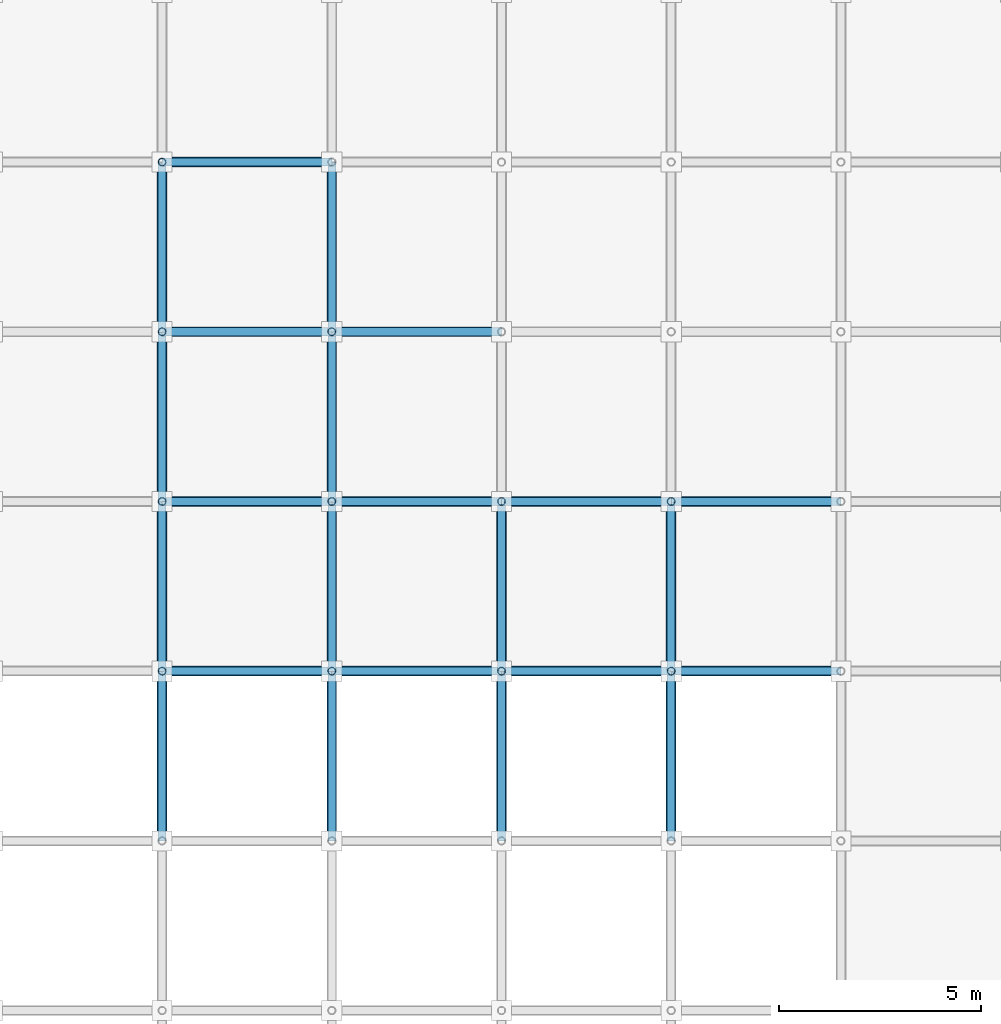
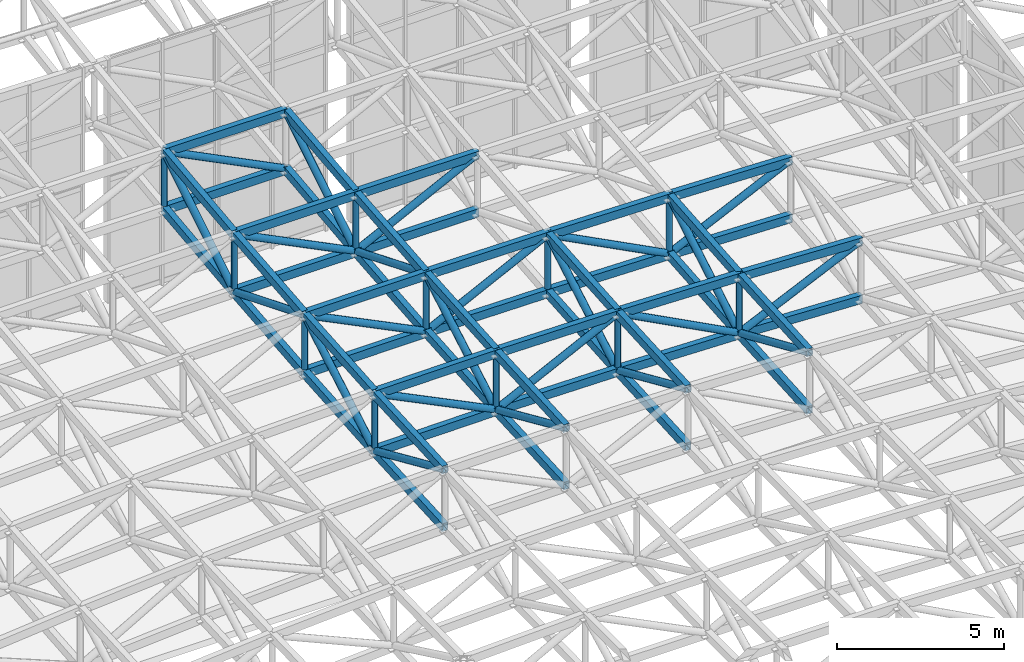
# One storey, part 49 of 123: 80 members.
"""IFC4 building model written with IfcOpenShell, lengths in metres."""

from ifc_helpers import new_model, si_unit, direction, frame, origin, origin_2d, place, context, subcontext, project, spatial, hollow_rectangle, hollow_circle, extrude, material, material_profile, profile_set, type_object, element, save


model = new_model("IFC4")

# Units and contexts
model_context = context("Model", 3, precision=1e-05, world=origin(), true_north=direction((0.0, 1.0)))
body_context = subcontext(model_context, "Body", "Model", "MODEL_VIEW")
ifc_project = project(units=[si_unit("LENGTHUNIT", "METRE"), si_unit("AREAUNIT", "SQUARE_METRE"), si_unit("VOLUMEUNIT", "CUBIC_METRE"), si_unit("PLANEANGLEUNIT", "RADIAN"), si_unit("MASSUNIT", "GRAM", prefix="KILO")], contexts=[model_context])

# Site, building, storey
site_placement = place(None, origin())
site = spatial("IfcSite", under=ifc_project, at=site_placement, CompositionType="ELEMENT")
building_placement = place(site_placement, origin())
building = spatial("IfcBuilding", under=site, at=building_placement, Name="Cumbredor Promenade Congress Hotel", CompositionType="ELEMENT")
storey_placement = place(building_placement, frame((0.0, 0.0, 11.760009765625)))
storey = spatial("IfcBuildingStorey", under=building, at=storey_placement, Name="L03", CompositionType="ELEMENT", Elevation=11.760009765625)

# Members
ifc_material = material(Name="Steel ASTM A500 Grade C", Category="steel")
ifc_material_profile_1 = material_profile(ifc_material, hollow_rectangle(XDim=0.199951171875, YDim=0.300048828125, WallThickness=0.012451171875, at=origin_2d()), Name="HSS 300x200x12.5")
ifc_profile_set_1 = profile_set([ifc_material_profile_1], Name="Steel ASTM A500 Grade C")
member_type_1 = type_object("IfcMemberType", Name="Ballroom Roof Space Frame Chord", PredefinedType="CHORD", material=ifc_profile_set_1)
for number, where, z_axis, x_axis, name in (
    (1, (159.60009765625, 50.39990234375, 6.969970703125), (0.999962994954, 0.0, 0.008602832253), (0.0, 1.0, 0.0), "Grand Ballroom Pavilion X Top Chord 6.13"),
    (2, (159.60009765625, 50.39990234375, 4.869873046875), (0.999962994954, 0.0, 0.008602832253), (0.0, 1.0, 0.0), "Grand Ballroom Pavilion X Bottom Chord 6.13"),
    (3, (163.800048828125, 50.39990234375, 7.006103515625), (0.999962994954, 0.0, -0.008602832253), (0.0, 1.0, 0.0), "Grand Ballroom Pavilion X Top Chord 7.13"),
    (4, (163.800048828125, 50.39990234375, 4.906005859375), (0.999962994954, 0.0, -0.008602832253), (0.0, 1.0, 0.0), "Grand Ballroom Pavilion X Bottom Chord 7.13"),
):
    element("IfcMember", number, at=place(storey_placement, frame(where, z_axis=z_axis, x_axis=x_axis)), inside=storey, type_object=member_type_1, Name=name, PredefinedType="CHORD", context=body_context, shape_type="SweptSolid", body=[
        extrude(hollow_rectangle(XDim=0.199951171875, YDim=0.300048828125, WallThickness=0.012451171875, at=origin_2d()), origin(), (0.0, 0.0, 1.0), 4.2001953125),
    ])
for number, where, z_axis, x_axis, name in (
    (5, (168.0, 50.39990234375, 6.969970703125), (0.999670093245, 0.0, -0.02568471669), (0.0, 1.0, 0.0), "Grand Ballroom Pavilion X Top Chord 8.13"),
    (6, (168.0, 50.39990234375, 4.869873046875), (0.999670093245, 0.0, -0.02568471669), (0.0, 1.0, 0.0), "Grand Ballroom Pavilion X Bottom Chord 8.13"),
):
    element("IfcMember", number, at=place(storey_placement, frame(where, z_axis=z_axis, x_axis=x_axis)), inside=storey, type_object=member_type_1, Name=name, PredefinedType="CHORD", context=body_context, shape_type="SweptSolid", body=[
        extrude(hollow_rectangle(XDim=0.199951171875, YDim=0.300048828125, WallThickness=0.012451171875, at=origin_2d()), origin(), (0.0, 0.0, 1.0), 4.201416015625),
    ])
for number, where, z_axis, x_axis, name in (
    (7, (172.199951171875, 50.39990234375, 6.862060546875), (0.999083570035, 0.0, -0.042802103768), (0.0, 1.0, 0.0), "Grand Ballroom Pavilion X Top Chord 9.13"),
    (8, (172.199951171875, 50.39990234375, 4.761962890625), (0.999086051861, 0.0, -0.042744133824), (0.0, 1.0, 0.0), "Grand Ballroom Pavilion X Bottom Chord 9.13"),
):
    element("IfcMember", number, at=place(storey_placement, frame(where, z_axis=z_axis, x_axis=x_axis)), inside=storey, type_object=member_type_1, Name=name, PredefinedType="CHORD", context=body_context, shape_type="SweptSolid", body=[
        extrude(hollow_rectangle(XDim=0.199951171875, YDim=0.300048828125, WallThickness=0.012451171875, at=origin_2d()), origin(), (0.0, 0.0, 1.0), 4.203857421875),
    ])
for number, where, z_axis, x_axis, name in (
    (9, (159.60009765625, 54.60009765625, 7.29052734375), (0.999982076435, 0.0, 0.005987220477), (0.0, 1.0, 0.0), "Grand Ballroom Pavilion X Top Chord 6.14"),
    (10, (159.60009765625, 54.60009765625, 5.190673828125), (0.999982422767, 0.0, 0.005929094177), (0.0, 1.0, 0.0), "Grand Ballroom Pavilion X Bottom Chord 6.14"),
    (11, (163.800048828125, 54.60009765625, 7.315673828125), (0.999982076435, 0.0, -0.005987220477), (0.0, 1.0, 0.0), "Grand Ballroom Pavilion X Top Chord 7.14"),
    (12, (163.800048828125, 54.60009765625, 5.215576171875), (0.999982422767, 0.0, -0.005929094177), (0.0, 1.0, 0.0), "Grand Ballroom Pavilion X Bottom Chord 7.14"),
):
    element("IfcMember", number, at=place(storey_placement, frame(where, z_axis=z_axis, x_axis=x_axis)), inside=storey, type_object=member_type_1, Name=name, PredefinedType="CHORD", context=body_context, shape_type="SweptSolid", body=[
        extrude(hollow_rectangle(XDim=0.199951171875, YDim=0.300048828125, WallThickness=0.012451171875, at=origin_2d()), origin(), (0.0, 0.0, 1.0), 4.199951171875),
    ])
for number, where, z_axis, x_axis, name in (
    (13, (168.0, 54.60009765625, 7.29052734375), (0.999841838259, 0.0, -0.01778478187), (0.0, 1.0, 0.0), "Grand Ballroom Pavilion X Top Chord 8.14"),
    (14, (168.0, 54.60009765625, 5.190673828125), (0.999840803081, 0.0, -0.017842883599), (0.0, 1.0, 0.0), "Grand Ballroom Pavilion X Bottom Chord 8.14"),
):
    element("IfcMember", number, at=place(storey_placement, frame(where, z_axis=z_axis, x_axis=x_axis)), inside=storey, type_object=member_type_1, Name=name, PredefinedType="CHORD", context=body_context, shape_type="SweptSolid", body=[
        extrude(hollow_rectangle(XDim=0.199951171875, YDim=0.300048828125, WallThickness=0.012451171875, at=origin_2d()), origin(), (0.0, 0.0, 1.0), 4.20068359375),
    ])
for number, where, z_axis, x_axis, name in (
    (15, (172.199951171875, 54.60009765625, 7.2158203125), (0.999560847032, 0.0, -0.029632972853), (0.0, 1.0, 0.0), "Grand Ballroom Pavilion X Top Chord 9.14"),
    (16, (172.199951171875, 54.60009765625, 5.11572265625), (0.999560847032, 0.0, -0.029632972853), (0.0, 1.0, 0.0), "Grand Ballroom Pavilion X Bottom Chord 9.14"),
):
    element("IfcMember", number, at=place(storey_placement, frame(where, z_axis=z_axis, x_axis=x_axis)), inside=storey, type_object=member_type_1, Name=name, PredefinedType="CHORD", context=body_context, shape_type="SweptSolid", body=[
        extrude(hollow_rectangle(XDim=0.199951171875, YDim=0.300048828125, WallThickness=0.012451171875, at=origin_2d()), origin(), (0.0, 0.0, 1.0), 4.201904296875),
    ])
for number, where, z_axis, x_axis, name in (
    (17, (159.60009765625, 58.800048828125, 7.69140625), (0.999996425009, 0.0, 0.002673942658), (0.0, 1.0, 0.0), "Grand Ballroom Pavilion X Top Chord 6.15"),
    (18, (159.60009765625, 58.800048828125, 5.59130859375), (0.999996267886, 0.0, 0.002732071417), (0.0, 1.0, 0.0), "Grand Ballroom Pavilion X Bottom Chord 6.15"),
    (19, (163.800048828125, 58.800048828125, 7.70263671875), (0.999996425009, 0.0, -0.002673942658), (0.0, 1.0, 0.0), "Grand Ballroom Pavilion X Top Chord 7.15"),
    (20, (163.800048828125, 58.800048828125, 5.602783203125), (0.999996267886, 0.0, -0.002732071417), (0.0, 1.0, 0.0), "Grand Ballroom Pavilion X Bottom Chord 7.15"),
    (21, (159.60009765625, 63.0, 8.17236328125), (0.999999254925, 0.0, -0.001220716407), (0.0, 1.0, 0.0), "Grand Ballroom Pavilion X Top Chord 6.16"),
    (22, (159.60009765625, 63.0, 6.072509765625), (0.999999182277, 0.0, -0.001278845667), (0.0, 1.0, 0.0), "Grand Ballroom Pavilion X Bottom Chord 6.16"),
):
    element("IfcMember", number, at=place(storey_placement, frame(where, z_axis=z_axis, x_axis=x_axis)), inside=storey, type_object=member_type_1, Name=name, PredefinedType="CHORD", context=body_context, shape_type="SweptSolid", body=[
        extrude(hollow_rectangle(XDim=0.199951171875, YDim=0.300048828125, WallThickness=0.012451171875, at=origin_2d()), origin(), (0.0, 0.0, 1.0), 4.199951171875),
    ])
for number, where, z_axis, x_axis, name in (
    (23, (159.60009765625, 46.199951171875, 6.7294921875), (0.0, 0.998364811443, 0.05716382836), (-1.0, 0.0, 0.0), "Grand Ballroom Pavilion Y Top Chord 6.12"),
    (24, (159.60009765625, 46.199951171875, 4.62939453125), (0.0, 0.998364811443, 0.05716382836), (-1.0, 0.0, 0.0), "Grand Ballroom Pavilion Y Bottom Chord 6.12"),
):
    element("IfcMember", number, at=place(storey_placement, frame(where, z_axis=z_axis, x_axis=x_axis)), inside=storey, type_object=member_type_1, Name=name, PredefinedType="CHORD", context=body_context, shape_type="SweptSolid", body=[
        extrude(hollow_rectangle(XDim=0.199951171875, YDim=0.300048828125, WallThickness=0.012451171875, at=origin_2d()), origin(), (0.0, 0.0, 1.0), 4.206787109375),
    ])
for number, where, z_axis, x_axis, name in (
    (25, (159.60009765625, 50.39990234375, 6.969970703125), (0.0, 0.997100331026, 0.076098159419), (-1.0, 0.0, 0.0), "Grand Ballroom Pavilion Y Top Chord 6.13"),
    (26, (159.60009765625, 50.39990234375, 4.869873046875), (0.0, 0.997095931713, 0.076155780881), (-1.0, 0.0, 0.0), "Grand Ballroom Pavilion Y Bottom Chord 6.13"),
):
    element("IfcMember", number, at=place(storey_placement, frame(where, z_axis=z_axis, x_axis=x_axis)), inside=storey, type_object=member_type_1, Name=name, PredefinedType="CHORD", context=body_context, shape_type="SweptSolid", body=[
        extrude(hollow_rectangle(XDim=0.199951171875, YDim=0.300048828125, WallThickness=0.012451171875, at=origin_2d()), origin(), (0.0, 0.0, 1.0), 4.21240234375),
    ])
for number, where, z_axis, x_axis, name in (
    (27, (159.60009765625, 54.60009765625, 7.29052734375), (0.0, 0.995475685358, 0.095016629388), (-1.0, 0.0, 0.0), "Grand Ballroom Pavilion Y Top Chord 6.14"),
    (28, (159.60009765625, 54.60009765625, 5.190673828125), (0.0, 0.995481157131, 0.094959284942), (-1.0, 0.0, 0.0), "Grand Ballroom Pavilion Y Bottom Chord 6.14"),
):
    element("IfcMember", number, at=place(storey_placement, frame(where, z_axis=z_axis, x_axis=x_axis)), inside=storey, type_object=member_type_1, Name=name, PredefinedType="CHORD", context=body_context, shape_type="SweptSolid", body=[
        extrude(hollow_rectangle(XDim=0.199951171875, YDim=0.300048828125, WallThickness=0.012451171875, at=origin_2d()), origin(), (0.0, 0.0, 1.0), 4.218994140625),
    ])
member_1_placement = place(storey_placement, frame((159.60009765625, 58.800048828125, 7.69140625), z_axis=(0.0, 0.99350695901, 0.113771360184), x_axis=(-1.0, 0.0, 0.0)))
element("IfcMember", 29, at=member_1_placement, inside=storey, type_object=member_type_1, Name="Grand Ballroom Pavilion Y Top Chord 6.15", PredefinedType="CHORD", context=body_context, shape_type="SweptSolid", body=[
    extrude(hollow_rectangle(XDim=0.199951171875, YDim=0.300048828125, WallThickness=0.012451171875, at=origin_2d()), origin(), (0.0, 0.0, 1.0), 4.227294921875),
])
member_2_placement = place(storey_placement, frame((159.60009765625, 58.800048828125, 5.59130859375), z_axis=(0.0, 0.993500429561, 0.113828364045), x_axis=(-1.0, 0.0, 0.0)))
element("IfcMember", 30, at=member_2_placement, inside=storey, type_object=member_type_1, Name="Grand Ballroom Pavilion Y Bottom Chord 6.15", PredefinedType="CHORD", context=body_context, shape_type="SweptSolid", body=[
    extrude(hollow_rectangle(XDim=0.199951171875, YDim=0.300048828125, WallThickness=0.012451171875, at=origin_2d()), origin(), (0.0, 0.0, 1.0), 4.2275390625),
])
for number, where, z_axis, x_axis, name in (
    (31, (163.800048828125, 46.199951171875, 6.773681640625), (0.0, 0.998472295268, 0.055254643091), (-1.0, 0.0, 0.0), "Grand Ballroom Pavilion Y Top Chord 7.12"),
    (32, (163.800048828125, 46.199951171875, 4.673828125), (0.0, 0.998475495714, 0.055196779424), (-1.0, 0.0, 0.0), "Grand Ballroom Pavilion Y Bottom Chord 7.12"),
):
    element("IfcMember", number, at=place(storey_placement, frame(where, z_axis=z_axis, x_axis=x_axis)), inside=storey, type_object=member_type_1, Name=name, PredefinedType="CHORD", context=body_context, shape_type="SweptSolid", body=[
        extrude(hollow_rectangle(XDim=0.199951171875, YDim=0.300048828125, WallThickness=0.012451171875, at=origin_2d()), origin(), (0.0, 0.0, 1.0), 4.206298828125),
    ])
for number, where, z_axis, x_axis, name in (
    (33, (163.800048828125, 50.39990234375, 7.006103515625), (0.0, 0.997294891823, 0.073504413092), (-1.0, 0.0, 0.0), "Grand Ballroom Pavilion Y Top Chord 7.13"),
    (34, (163.800048828125, 50.39990234375, 4.906005859375), (0.0, 0.997294891823, 0.073504413092), (-1.0, 0.0, 0.0), "Grand Ballroom Pavilion Y Bottom Chord 7.13"),
):
    element("IfcMember", number, at=place(storey_placement, frame(where, z_axis=z_axis, x_axis=x_axis)), inside=storey, type_object=member_type_1, Name=name, PredefinedType="CHORD", context=body_context, shape_type="SweptSolid", body=[
        extrude(hollow_rectangle(XDim=0.199951171875, YDim=0.300048828125, WallThickness=0.012451171875, at=origin_2d()), origin(), (0.0, 0.0, 1.0), 4.211669921875),
    ])
for number, where, z_axis, x_axis, name in (
    (35, (163.800048828125, 54.60009765625, 7.315673828125), (0.0, 0.995782395469, 0.091746503332), (-1.0, 0.0, 0.0), "Grand Ballroom Pavilion Y Top Chord 7.14"),
    (36, (163.800048828125, 54.60009765625, 5.215576171875), (0.0, 0.995777105566, 0.091803899868), (-1.0, 0.0, 0.0), "Grand Ballroom Pavilion Y Bottom Chord 7.14"),
):
    element("IfcMember", number, at=place(storey_placement, frame(where, z_axis=z_axis, x_axis=x_axis)), inside=storey, type_object=member_type_1, Name=name, PredefinedType="CHORD", context=body_context, shape_type="SweptSolid", body=[
        extrude(hollow_rectangle(XDim=0.199951171875, YDim=0.300048828125, WallThickness=0.012451171875, at=origin_2d()), origin(), (0.0, 0.0, 1.0), 4.2177734375),
    ])
for number, where, z_axis, x_axis, name in (
    (37, (163.800048828125, 58.800048828125, 7.70263671875), (0.0, 0.993937167208, 0.109949568633), (-1.0, 0.0, 0.0), "Grand Ballroom Pavilion Y Top Chord 7.15"),
    (38, (163.800048828125, 58.800048828125, 5.602783203125), (0.0, 0.993943479647, 0.109892489583), (-1.0, 0.0, 0.0), "Grand Ballroom Pavilion Y Bottom Chord 7.15"),
):
    element("IfcMember", number, at=place(storey_placement, frame(where, z_axis=z_axis, x_axis=x_axis)), inside=storey, type_object=member_type_1, Name=name, PredefinedType="CHORD", context=body_context, shape_type="SweptSolid", body=[
        extrude(hollow_rectangle(XDim=0.199951171875, YDim=0.300048828125, WallThickness=0.012451171875, at=origin_2d()), origin(), (0.0, 0.0, 1.0), 4.2255859375),
    ])
for number, where, z_axis, x_axis, name in (
    (39, (168.0, 46.199951171875, 6.7294921875), (0.0, 0.998364811443, 0.05716382836), (-1.0, 0.0, 0.0), "Grand Ballroom Pavilion Y Top Chord 8.12"),
    (40, (168.0, 46.199951171875, 4.62939453125), (0.0, 0.998364811443, 0.05716382836), (-1.0, 0.0, 0.0), "Grand Ballroom Pavilion Y Bottom Chord 8.12"),
):
    element("IfcMember", number, at=place(storey_placement, frame(where, z_axis=z_axis, x_axis=x_axis)), inside=storey, type_object=member_type_1, Name=name, PredefinedType="CHORD", context=body_context, shape_type="SweptSolid", body=[
        extrude(hollow_rectangle(XDim=0.199951171875, YDim=0.300048828125, WallThickness=0.012451171875, at=origin_2d()), origin(), (0.0, 0.0, 1.0), 4.206787109375),
    ])
for number, where, z_axis, x_axis, name in (
    (41, (168.0, 50.39990234375, 6.969970703125), (0.0, 0.997100331026, 0.076098159419), (-1.0, 0.0, 0.0), "Grand Ballroom Pavilion Y Top Chord 8.13"),
    (42, (168.0, 50.39990234375, 4.869873046875), (0.0, 0.997095931713, 0.076155780881), (-1.0, 0.0, 0.0), "Grand Ballroom Pavilion Y Bottom Chord 8.13"),
):
    element("IfcMember", number, at=place(storey_placement, frame(where, z_axis=z_axis, x_axis=x_axis)), inside=storey, type_object=member_type_1, Name=name, PredefinedType="CHORD", context=body_context, shape_type="SweptSolid", body=[
        extrude(hollow_rectangle(XDim=0.199951171875, YDim=0.300048828125, WallThickness=0.012451171875, at=origin_2d()), origin(), (0.0, 0.0, 1.0), 4.21240234375),
    ])
for number, where, z_axis, x_axis, name in (
    (43, (172.199951171875, 46.199951171875, 6.5966796875), (0.0, 0.998009681271, 0.063060891911), (-1.0, 0.0, 0.0), "Grand Ballroom Pavilion Y Top Chord 9.12"),
    (44, (172.199951171875, 46.199951171875, 4.49658203125), (0.0, 0.998009681271, 0.063060891911), (-1.0, 0.0, 0.0), "Grand Ballroom Pavilion Y Bottom Chord 9.12"),
):
    element("IfcMember", number, at=place(storey_placement, frame(where, z_axis=z_axis, x_axis=x_axis)), inside=storey, type_object=member_type_1, Name=name, PredefinedType="CHORD", context=body_context, shape_type="SweptSolid", body=[
        extrude(hollow_rectangle(XDim=0.199951171875, YDim=0.300048828125, WallThickness=0.012451171875, at=origin_2d()), origin(), (0.0, 0.0, 1.0), 4.208251953125),
    ])
for number, where, z_axis, x_axis, name in (
    (45, (172.199951171875, 50.39990234375, 6.862060546875), (0.0, 0.996471868261, 0.08392744345), (-1.0, 0.0, 0.0), "Grand Ballroom Pavilion Y Top Chord 9.13"),
    (46, (172.199951171875, 50.39990234375, 4.761962890625), (0.0, 0.996471868261, 0.08392744345), (-1.0, 0.0, 0.0), "Grand Ballroom Pavilion Y Bottom Chord 9.13"),
):
    element("IfcMember", number, at=place(storey_placement, frame(where, z_axis=z_axis, x_axis=x_axis)), inside=storey, type_object=member_type_1, Name=name, PredefinedType="CHORD", context=body_context, shape_type="SweptSolid", body=[
        extrude(hollow_rectangle(XDim=0.199951171875, YDim=0.300048828125, WallThickness=0.012451171875, at=origin_2d()), origin(), (0.0, 0.0, 1.0), 4.215087890625),
    ])
ifc_material_profile_2 = material_profile(ifc_material, hollow_circle(Radius=0.122314453125, WallThickness=0.012451171875, at=origin_2d()), Name="CHS 244.5x12.5")
ifc_profile_set_2 = profile_set([ifc_material_profile_2], Name="Steel ASTM A500 Grade C")
member_type_2 = type_object("IfcMemberType", Name="Space Frame Web Diagonal D2", PredefinedType="BRACE", material=ifc_profile_set_2)
for number, where, z_axis, x_axis, name in (
    (47, (159.60009765625, 50.39990234375, 6.969970703125), (0.897484047606, 0.0, -0.441046918471), (0.0, 1.0, 0.0), "Grand Ballroom Pavilion X Web Diagonal 6.13"),
    (48, (163.800048828125, 50.39990234375, 4.906005859375), (0.897484047606, 0.0, 0.441046918471), (0.0, 1.0, 0.0), "Grand Ballroom Pavilion X Web Diagonal 7.13"),
):
    element("IfcMember", number, at=place(storey_placement, frame(where, z_axis=z_axis, x_axis=x_axis)), inside=storey, type_object=member_type_2, Name=name, PredefinedType="BRACE", context=body_context, shape_type="SweptSolid", body=[
        extrude(hollow_circle(Radius=0.122314453125, WallThickness=0.012451171875, at=origin_2d()), origin(), (0.0, 0.0, 1.0), 4.6796875),
    ])
member_3_placement = place(storey_placement, frame((168.0, 50.39990234375, 6.969970703125), z_axis=(0.885134650712, 0.0, -0.465334986981), x_axis=(0.0, 1.0, 0.0)))
element("IfcMember", 49, at=member_3_placement, inside=storey, type_object=member_type_2, Name="Grand Ballroom Pavilion X Web Diagonal 8.13", PredefinedType="BRACE", context=body_context, shape_type="SweptSolid", body=[
    extrude(hollow_circle(Radius=0.122314453125, WallThickness=0.012451171875, at=origin_2d()), origin(), (0.0, 0.0, 1.0), 4.744873046875),
])
member_4_placement = place(storey_placement, frame((172.199951171875, 50.39990234375, 4.761962890625), z_axis=(0.909459054134, 0.0, 0.41579349304), x_axis=(0.0, 1.0, 0.0)))
element("IfcMember", 50, at=member_4_placement, inside=storey, type_object=member_type_2, Name="Grand Ballroom Pavilion X Web Diagonal 9.13", PredefinedType="BRACE", context=body_context, shape_type="SweptSolid", body=[
    extrude(hollow_circle(Radius=0.122314453125, WallThickness=0.012451171875, at=origin_2d()), origin(), (0.0, 0.0, 1.0), 4.6181640625),
])
for number, where, z_axis, x_axis, name in (
    (51, (159.60009765625, 54.60009765625, 7.29052734375), (0.896553742848, 0.0, -0.442934968347), (0.0, 1.0, 0.0), "Grand Ballroom Pavilion X Web Diagonal 6.14"),
    (52, (163.800048828125, 54.60009765625, 5.215576171875), (0.896553742848, 0.0, 0.442934968347), (0.0, 1.0, 0.0), "Grand Ballroom Pavilion X Web Diagonal 7.14"),
):
    element("IfcMember", number, at=place(storey_placement, frame(where, z_axis=z_axis, x_axis=x_axis)), inside=storey, type_object=member_type_2, Name=name, PredefinedType="BRACE", context=body_context, shape_type="SweptSolid", body=[
        extrude(hollow_circle(Radius=0.122314453125, WallThickness=0.012451171875, at=origin_2d()), origin(), (0.0, 0.0, 1.0), 4.6845703125),
    ])
member_5_placement = place(storey_placement, frame((168.0, 54.60009765625, 7.29052734375), z_axis=(0.888009088628, 0.0, -0.459825900221), x_axis=(0.0, 1.0, 0.0)))
element("IfcMember", 53, at=member_5_placement, inside=storey, type_object=member_type_2, Name="Grand Ballroom Pavilion X Web Diagonal 8.14", PredefinedType="BRACE", context=body_context, shape_type="SweptSolid", body=[
    extrude(hollow_circle(Radius=0.122314453125, WallThickness=0.012451171875, at=origin_2d()), origin(), (0.0, 0.0, 1.0), 4.729736328125),
])
member_6_placement = place(storey_placement, frame((172.199951171875, 54.60009765625, 5.11572265625), z_axis=(0.904890214496, 0.0, 0.425645039569), x_axis=(0.0, 1.0, 0.0)))
element("IfcMember", 54, at=member_6_placement, inside=storey, type_object=member_type_2, Name="Grand Ballroom Pavilion X Web Diagonal 9.14", PredefinedType="BRACE", context=body_context, shape_type="SweptSolid", body=[
    extrude(hollow_circle(Radius=0.122314453125, WallThickness=0.012451171875, at=origin_2d()), origin(), (0.0, 0.0, 1.0), 4.641357421875),
])
for number, where, z_axis, x_axis, name in (
    (55, (159.60009765625, 58.800048828125, 7.69140625), (0.89539320048, 0.0, -0.445276337273), (0.0, 1.0, 0.0), "Grand Ballroom Pavilion X Web Diagonal 6.15"),
    (56, (163.800048828125, 58.800048828125, 5.602783203125), (0.89539320048, 0.0, 0.445276337273), (0.0, 1.0, 0.0), "Grand Ballroom Pavilion X Web Diagonal 7.15"),
):
    element("IfcMember", number, at=place(storey_placement, frame(where, z_axis=z_axis, x_axis=x_axis)), inside=storey, type_object=member_type_2, Name=name, PredefinedType="BRACE", context=body_context, shape_type="SweptSolid", body=[
        extrude(hollow_circle(Radius=0.122314453125, WallThickness=0.012451171875, at=origin_2d()), origin(), (0.0, 0.0, 1.0), 4.690673828125),
    ])
member_7_placement = place(storey_placement, frame((159.60009765625, 63.0, 8.17236328125), z_axis=(0.893979832423, 0.0, -0.448107196128), x_axis=(0.0, 1.0, 0.0)))
element("IfcMember", 57, at=member_7_placement, inside=storey, type_object=member_type_2, Name="Grand Ballroom Pavilion X Web Diagonal 6.16", PredefinedType="BRACE", context=body_context, shape_type="SweptSolid", body=[
    extrude(hollow_circle(Radius=0.122314453125, WallThickness=0.012451171875, at=origin_2d()), origin(), (0.0, 0.0, 1.0), 4.697998046875),
])
member_8_placement = place(storey_placement, frame((159.60009765625, 46.199951171875, 6.7294921875), z_axis=(0.0, 0.914378344, -0.404860771159), x_axis=(-1.0, 0.0, 0.0)))
element("IfcMember", 58, at=member_8_placement, inside=storey, type_object=member_type_2, Name="Grand Ballroom Pavilion Y Web Diagonal 6.12", PredefinedType="BRACE", context=body_context, shape_type="SweptSolid", body=[
    extrude(hollow_circle(Radius=0.122314453125, WallThickness=0.012451171875, at=origin_2d()), origin(), (0.0, 0.0, 1.0), 4.59326171875),
])
member_9_placement = place(storey_placement, frame((159.60009765625, 50.39990234375, 4.869873046875), z_axis=(0.0, 0.86641187047, 0.499330021838), x_axis=(-1.0, 0.0, 0.0)))
element("IfcMember", 59, at=member_9_placement, inside=storey, type_object=member_type_2, Name="Grand Ballroom Pavilion Y Web Diagonal 6.13", PredefinedType="BRACE", context=body_context, shape_type="SweptSolid", body=[
    extrude(hollow_circle(Radius=0.122314453125, WallThickness=0.012451171875, at=origin_2d()), origin(), (0.0, 0.0, 1.0), 4.847900390625),
])
member_10_placement = place(storey_placement, frame((159.60009765625, 54.60009765625, 7.29052734375), z_axis=(0.0, 0.927005255306, -0.375048339065), x_axis=(-1.0, 0.0, 0.0)))
element("IfcMember", 60, at=member_10_placement, inside=storey, type_object=member_type_2, Name="Grand Ballroom Pavilion Y Web Diagonal 6.14", PredefinedType="BRACE", context=body_context, shape_type="SweptSolid", body=[
    extrude(hollow_circle(Radius=0.122314453125, WallThickness=0.012451171875, at=origin_2d()), origin(), (0.0, 0.0, 1.0), 4.53076171875),
])
member_11_placement = place(storey_placement, frame((159.60009765625, 58.800048828125, 5.59130859375), z_axis=(0.0, 0.851977838683, 0.523577847501), x_axis=(-1.0, 0.0, 0.0)))
element("IfcMember", 61, at=member_11_placement, inside=storey, type_object=member_type_2, Name="Grand Ballroom Pavilion Y Web Diagonal 6.15", PredefinedType="BRACE", context=body_context, shape_type="SweptSolid", body=[
    extrude(hollow_circle(Radius=0.122314453125, WallThickness=0.012451171875, at=origin_2d()), origin(), (0.0, 0.0, 1.0), 4.9296875),
])
member_12_placement = place(storey_placement, frame((163.800048828125, 46.199951171875, 6.773681640625), z_axis=(0.0, 0.913728298503, -0.406325727114), x_axis=(-1.0, 0.0, 0.0)))
element("IfcMember", 62, at=member_12_placement, inside=storey, type_object=member_type_2, Name="Grand Ballroom Pavilion Y Web Diagonal 7.12", PredefinedType="BRACE", context=body_context, shape_type="SweptSolid", body=[
    extrude(hollow_circle(Radius=0.122314453125, WallThickness=0.012451171875, at=origin_2d()), origin(), (0.0, 0.0, 1.0), 4.596435546875),
])
member_13_placement = place(storey_placement, frame((163.800048828125, 50.39990234375, 4.906005859375), z_axis=(0.0, 0.867391742026, 0.497625929656), x_axis=(-1.0, 0.0, 0.0)))
element("IfcMember", 63, at=member_13_placement, inside=storey, type_object=member_type_2, Name="Grand Ballroom Pavilion Y Web Diagonal 7.13", PredefinedType="BRACE", context=body_context, shape_type="SweptSolid", body=[
    extrude(hollow_circle(Radius=0.122314453125, WallThickness=0.012451171875, at=origin_2d()), origin(), (0.0, 0.0, 1.0), 4.84228515625),
])
member_14_placement = place(storey_placement, frame((163.800048828125, 54.60009765625, 7.315673828125), z_axis=(0.0, 0.925953681733, -0.377637099985), x_axis=(-1.0, 0.0, 0.0)))
element("IfcMember", 64, at=member_14_placement, inside=storey, type_object=member_type_2, Name="Grand Ballroom Pavilion Y Web Diagonal 7.14", PredefinedType="BRACE", context=body_context, shape_type="SweptSolid", body=[
    extrude(hollow_circle(Radius=0.122314453125, WallThickness=0.012451171875, at=origin_2d()), origin(), (0.0, 0.0, 1.0), 4.535888671875),
])
member_15_placement = place(storey_placement, frame((163.800048828125, 58.800048828125, 5.602783203125), z_axis=(0.0, 0.853479218015, 0.521126879383), x_axis=(-1.0, 0.0, 0.0)))
element("IfcMember", 65, at=member_15_placement, inside=storey, type_object=member_type_2, Name="Grand Ballroom Pavilion Y Web Diagonal 7.15", PredefinedType="BRACE", context=body_context, shape_type="SweptSolid", body=[
    extrude(hollow_circle(Radius=0.122314453125, WallThickness=0.012451171875, at=origin_2d()), origin(), (0.0, 0.0, 1.0), 4.9208984375),
])
member_16_placement = place(storey_placement, frame((168.0, 46.199951171875, 6.7294921875), z_axis=(0.0, 0.914378344, -0.404860771159), x_axis=(-1.0, 0.0, 0.0)))
element("IfcMember", 66, at=member_16_placement, inside=storey, type_object=member_type_2, Name="Grand Ballroom Pavilion Y Web Diagonal 8.12", PredefinedType="BRACE", context=body_context, shape_type="SweptSolid", body=[
    extrude(hollow_circle(Radius=0.122314453125, WallThickness=0.012451171875, at=origin_2d()), origin(), (0.0, 0.0, 1.0), 4.59326171875),
])
member_17_placement = place(storey_placement, frame((168.0, 50.39990234375, 4.869873046875), z_axis=(0.0, 0.86641187047, 0.499330021838), x_axis=(-1.0, 0.0, 0.0)))
element("IfcMember", 67, at=member_17_placement, inside=storey, type_object=member_type_2, Name="Grand Ballroom Pavilion Y Web Diagonal 8.13", PredefinedType="BRACE", context=body_context, shape_type="SweptSolid", body=[
    extrude(hollow_circle(Radius=0.122314453125, WallThickness=0.012451171875, at=origin_2d()), origin(), (0.0, 0.0, 1.0), 4.847900390625),
])
member_18_placement = place(storey_placement, frame((172.199951171875, 46.199951171875, 6.5966796875), z_axis=(0.0, 0.916378477988, -0.400312983903), x_axis=(-1.0, 0.0, 0.0)))
element("IfcMember", 68, at=member_18_placement, inside=storey, type_object=member_type_2, Name="Grand Ballroom Pavilion Y Web Diagonal 9.12", PredefinedType="BRACE", context=body_context, shape_type="SweptSolid", body=[
    extrude(hollow_circle(Radius=0.122314453125, WallThickness=0.012451171875, at=origin_2d()), origin(), (0.0, 0.0, 1.0), 4.583251953125),
])
member_19_placement = place(storey_placement, frame((172.199951171875, 50.39990234375, 4.761962890625), z_axis=(0.0, 0.863443773019, 0.504445091991), x_axis=(-1.0, 0.0, 0.0)))
element("IfcMember", 69, at=member_19_placement, inside=storey, type_object=member_type_2, Name="Grand Ballroom Pavilion Y Web Diagonal 9.13", PredefinedType="BRACE", context=body_context, shape_type="SweptSolid", body=[
    extrude(hollow_circle(Radius=0.122314453125, WallThickness=0.012451171875, at=origin_2d()), origin(), (0.0, 0.0, 1.0), 4.864501953125),
])
ifc_material_profile_3 = material_profile(ifc_material, hollow_circle(Radius=0.096923828125, WallThickness=0.010009765625, at=origin_2d()), Name="CHS 193.7x10")
ifc_profile_set_3 = profile_set([ifc_material_profile_3], Name="Steel ASTM A500 Grade C")
member_type_3 = type_object("IfcMemberType", Name="Space Frame Web Post P1", PredefinedType="BRACE", material=ifc_profile_set_3)
member_20_placement = place(storey_placement, frame((159.60009765625, 50.39990234375, 4.869873046875), z_axis=(0.0, 0.0, 1.0), x_axis=(1.0, 0.0, 0.0)))
element("IfcMember", 70, at=member_20_placement, inside=storey, type_object=member_type_3, Name="Grand Ballroom Pavilion Space Frame Web Post 6.13", PredefinedType="BRACE", context=body_context, shape_type="SweptSolid", body=[
    extrude(hollow_circle(Radius=0.096923828125, WallThickness=0.010009765625, at=origin_2d()), origin(), (0.0, 0.0, 1.0), 2.10009765625),
])
member_21_placement = place(storey_placement, frame((159.60009765625, 54.60009765625, 5.190673828125), z_axis=(0.0, 0.0, 1.0), x_axis=(1.0, 0.0, 0.0)))
element("IfcMember", 71, at=member_21_placement, inside=storey, type_object=member_type_3, Name="Grand Ballroom Pavilion Space Frame Web Post 6.14", PredefinedType="BRACE", context=body_context, shape_type="SweptSolid", body=[
    extrude(hollow_circle(Radius=0.096923828125, WallThickness=0.010009765625, at=origin_2d()), origin(), (0.0, 0.0, 1.0), 2.099853515625),
])
member_22_placement = place(storey_placement, frame((159.60009765625, 58.800048828125, 5.59130859375), z_axis=(0.0, 0.0, 1.0), x_axis=(1.0, 0.0, 0.0)))
element("IfcMember", 72, at=member_22_placement, inside=storey, type_object=member_type_3, Name="Grand Ballroom Pavilion Space Frame Web Post 6.15", PredefinedType="BRACE", context=body_context, shape_type="SweptSolid", body=[
    extrude(hollow_circle(Radius=0.096923828125, WallThickness=0.010009765625, at=origin_2d()), origin(), (0.0, 0.0, 1.0), 2.10009765625),
])
member_23_placement = place(storey_placement, frame((159.60009765625, 63.0, 6.072509765625), z_axis=(0.0, 0.0, 1.0), x_axis=(1.0, 0.0, 0.0)))
element("IfcMember", 73, at=member_23_placement, inside=storey, type_object=member_type_3, Name="Grand Ballroom Pavilion Space Frame Web Post 6.16", PredefinedType="BRACE", context=body_context, shape_type="SweptSolid", body=[
    extrude(hollow_circle(Radius=0.096923828125, WallThickness=0.010009765625, at=origin_2d()), origin(), (0.0, 0.0, 1.0), 2.099853515625),
])
for number, where, z_axis, x_axis, name in (
    (74, (163.800048828125, 50.39990234375, 4.906005859375), (0.0, 0.0, 1.0), (1.0, 0.0, 0.0), "Grand Ballroom Pavilion Space Frame Web Post 7.13"),
    (75, (163.800048828125, 54.60009765625, 5.215576171875), (0.0, 0.0, 1.0), (1.0, 0.0, 0.0), "Grand Ballroom Pavilion Space Frame Web Post 7.14"),
):
    element("IfcMember", number, at=place(storey_placement, frame(where, z_axis=z_axis, x_axis=x_axis)), inside=storey, type_object=member_type_3, Name=name, PredefinedType="BRACE", context=body_context, shape_type="SweptSolid", body=[
        extrude(hollow_circle(Radius=0.096923828125, WallThickness=0.010009765625, at=origin_2d()), origin(), (0.0, 0.0, 1.0), 2.10009765625),
    ])
member_24_placement = place(storey_placement, frame((163.800048828125, 58.800048828125, 5.602783203125), z_axis=(0.0, 0.0, 1.0), x_axis=(1.0, 0.0, 0.0)))
element("IfcMember", 76, at=member_24_placement, inside=storey, type_object=member_type_3, Name="Grand Ballroom Pavilion Space Frame Web Post 7.15", PredefinedType="BRACE", context=body_context, shape_type="SweptSolid", body=[
    extrude(hollow_circle(Radius=0.096923828125, WallThickness=0.010009765625, at=origin_2d()), origin(), (0.0, 0.0, 1.0), 2.099853515625),
])
member_25_placement = place(storey_placement, frame((168.0, 50.39990234375, 4.869873046875), z_axis=(0.0, 0.0, 1.0), x_axis=(1.0, 0.0, 0.0)))
element("IfcMember", 77, at=member_25_placement, inside=storey, type_object=member_type_3, Name="Grand Ballroom Pavilion Space Frame Web Post 8.13", PredefinedType="BRACE", context=body_context, shape_type="SweptSolid", body=[
    extrude(hollow_circle(Radius=0.096923828125, WallThickness=0.010009765625, at=origin_2d()), origin(), (0.0, 0.0, 1.0), 2.10009765625),
])
member_26_placement = place(storey_placement, frame((168.0, 54.60009765625, 5.190673828125), z_axis=(0.0, 0.0, 1.0), x_axis=(1.0, 0.0, 0.0)))
element("IfcMember", 78, at=member_26_placement, inside=storey, type_object=member_type_3, Name="Grand Ballroom Pavilion Space Frame Web Post 8.14", PredefinedType="BRACE", context=body_context, shape_type="SweptSolid", body=[
    extrude(hollow_circle(Radius=0.096923828125, WallThickness=0.010009765625, at=origin_2d()), origin(), (0.0, 0.0, 1.0), 2.099853515625),
])
for number, where, z_axis, x_axis, name in (
    (79, (172.199951171875, 50.39990234375, 4.761962890625), (0.0, 0.0, 1.0), (1.0, 0.0, 0.0), "Grand Ballroom Pavilion Space Frame Web Post 9.13"),
    (80, (172.199951171875, 54.60009765625, 5.11572265625), (0.0, 0.0, 1.0), (1.0, 0.0, 0.0), "Grand Ballroom Pavilion Space Frame Web Post 9.14"),
):
    element("IfcMember", number, at=place(storey_placement, frame(where, z_axis=z_axis, x_axis=x_axis)), inside=storey, type_object=member_type_3, Name=name, PredefinedType="BRACE", context=body_context, shape_type="SweptSolid", body=[
        extrude(hollow_circle(Radius=0.096923828125, WallThickness=0.010009765625, at=origin_2d()), origin(), (0.0, 0.0, 1.0), 2.10009765625),
    ])

save(model, "model.ifc")
